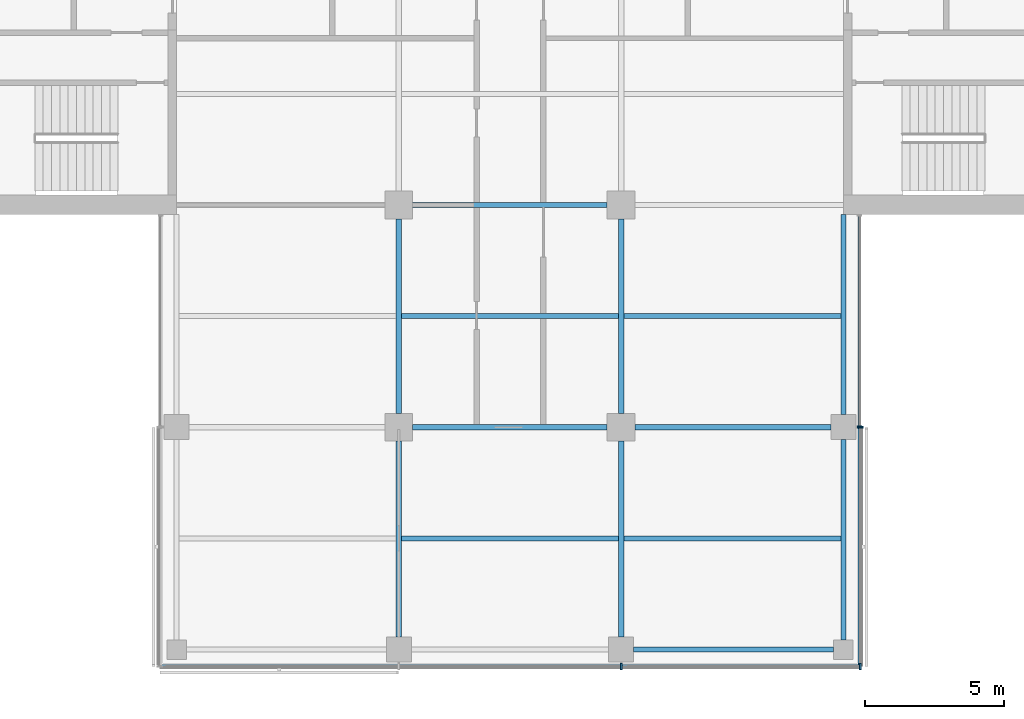
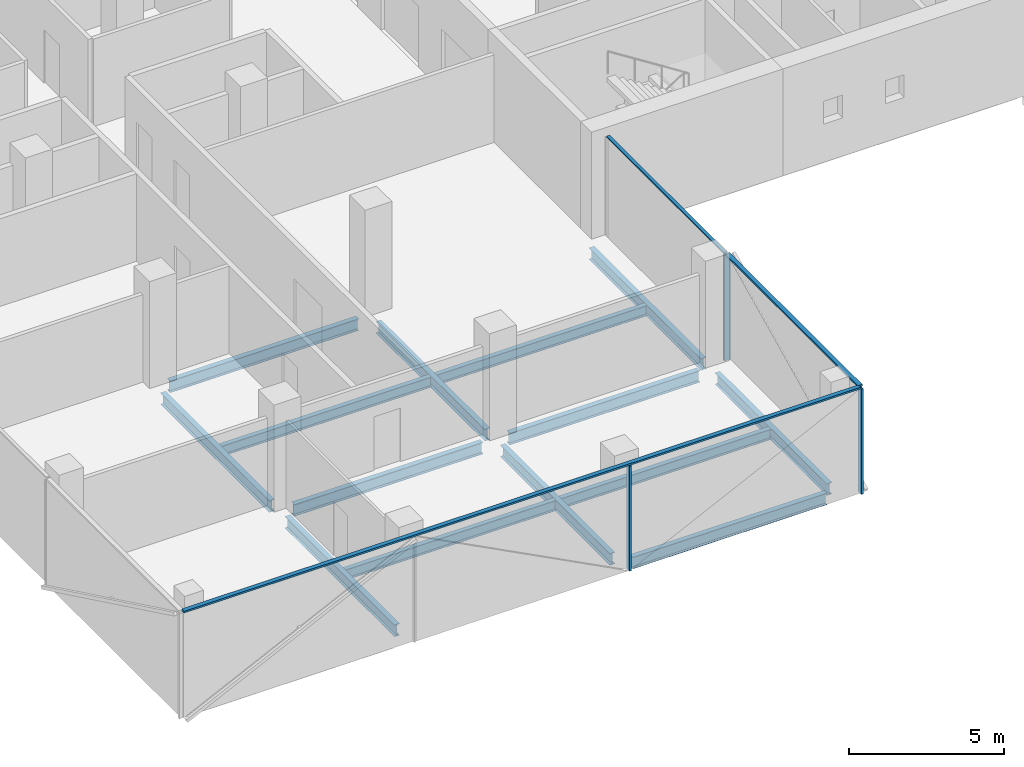
# One storey, part 5 of 22: 14 beams, 7 members, 3 elements without a shape of their own.
"""IFC4 building model written with IfcOpenShell, lengths in metres."""

import ifcopenshell
import ifcopenshell.guid

model = None  # the IFC model being written
_history = None  # IfcOwnerHistory: only IFC2X3 demands one
_inside = {}  # id of a spatial element -> (the spatial element, [elements in it])
_under = {}  # id of a project, library or spatial element -> (it, [spatial elements below it])
_declared = {}  # id of a project -> (the project, [libraries it declares])
_typed = {}  # id of a type object -> (the type object, [elements of that type])
_made_of = {}  # id of a material, layer set ... -> (it, [elements and type objects made of it])


def new_model(schema):
    """Start an empty IFC model of exactly this schema.

    Asked for "IFC4X3", IfcOpenShell would pick the latest addendum, in which some entities
    have other attributes; the version numbers below select the first issue.
    IFC2X3 requires an IfcOwnerHistory on every rooted entity: one is made here for all.
    """
    global model, _history
    if schema == "IFC4X3":
        model = ifcopenshell.file(schema_version=(4, 3, 0, 0))
    else:
        model = ifcopenshell.file(schema=schema)
    _inside.clear()
    _under.clear()
    _declared.clear()
    _typed.clear()
    _made_of.clear()
    _history = None
    if model.schema == "IFC2X3":
        org = make("IfcOrganization", Name="unknown")
        user = make(
            "IfcPersonAndOrganization",
            ThePerson=make("IfcPerson", FamilyName="unknown"),
            TheOrganization=org,
        )
        app = make(
            "IfcApplication",
            ApplicationDeveloper=org,
            Version="unknown",
            ApplicationFullName="unknown",
            ApplicationIdentifier="unknown",
        )
        _history = make(
            "IfcOwnerHistory",
            OwningUser=user,
            OwningApplication=app,
            ChangeAction="ADDED",
            CreationDate=0,
        )
    return model


def make(cls, **values):
    """One entity of the class cls with the attributes given. An attribute that is None is left unset."""
    return model.create_entity(
        cls, **{name: value for name, value in values.items() if value is not None}
    )


def rooted(cls, **values):
    """An entity with a GlobalId (a new one), such as an element, a storey or a relation."""
    return make(cls, GlobalId=ifcopenshell.guid.new(), OwnerHistory=_history, **values)


def si_unit(unit_type, name, prefix=None):
    """IfcSIUnit, for example si_unit("LENGTHUNIT", "METRE", prefix="MILLI")."""
    return make("IfcSIUnit", UnitType=unit_type, Prefix=prefix, Name=name)


def assignment(units):
    """IfcUnitAssignment: the units of a project."""
    return None if units is None else make("IfcUnitAssignment", Units=units)


def point(xyz):
    """IfcCartesianPoint."""
    return None if xyz is None else make("IfcCartesianPoint", Coordinates=xyz)


def direction(xyz):
    """IfcDirection."""
    return None if xyz is None else make("IfcDirection", DirectionRatios=xyz)


def frame(location, z_axis=None, x_axis=None):
    """IfcAxis2Placement3D, a coordinate frame: its origin and axes. An axis left out is left unset."""
    return make(
        "IfcAxis2Placement3D",
        Location=point(location),
        Axis=direction(z_axis),
        RefDirection=direction(x_axis),
    )


def frame_2d(location, x_axis=None):
    """IfcAxis2Placement2D, a coordinate frame in the plane: its origin and x axis."""
    return make(
        "IfcAxis2Placement2D", Location=point(location), RefDirection=direction(x_axis)
    )


def origin():
    """The frame at (0, 0, 0) with its axes left unset."""
    return frame((0.0, 0.0, 0.0))


def origin_2d():
    """The frame at (0, 0) in the plane with its x axis left unset."""
    return frame_2d((0.0, 0.0))


def place(relative_to, where):
    """IfcLocalPlacement: puts the frame where relative to a parent placement (None: the world)."""
    return make(
        "IfcLocalPlacement", PlacementRelTo=relative_to, RelativePlacement=where
    )


def context(
    kind, dimensions, precision=None, world=None, true_north=None, identifier=None
):
    """IfcGeometricRepresentationContext, for example the 3D "Model" context."""
    return make(
        "IfcGeometricRepresentationContext",
        ContextIdentifier=identifier,
        ContextType=kind,
        CoordinateSpaceDimension=dimensions,
        Precision=precision,
        WorldCoordinateSystem=world,
        TrueNorth=true_north,
    )


def subcontext(parent, identifier, kind, view, scale=None):
    """IfcGeometricRepresentationSubContext, for example "Body" below "Model"."""
    return make(
        "IfcGeometricRepresentationSubContext",
        ContextIdentifier=identifier,
        ContextType=kind,
        ParentContext=parent,
        TargetScale=scale,
        TargetView=view,
    )


def project(units=None, contexts=None):
    """IfcProject with its units and contexts."""
    return rooted(
        "IfcProject",
        Name="project",
        RepresentationContexts=contexts,
        UnitsInContext=assignment(units),
    )


def spatial(cls, under=None, at=None, **own):
    """A site, building, storey or space (cls), placed at a placement, below another one or the project."""
    s = rooted(cls, ObjectPlacement=at, **own)
    if under is not None:
        _under.setdefault(under.id(), (under, []))[1].append(s)
    return s


def profile(cls, at=None, kind="AREA", **sizes):
    """A parametric profile (cls). Its sizes go by their IFC names, for example OverallWidth=200.0."""
    return make(cls, ProfileType=kind, Position=at, **sizes)


def rectangle(**sizes):
    """IfcRectangleProfileDef."""
    return profile("IfcRectangleProfileDef", **sizes)


def i_section(**sizes):
    """IfcIShapeProfileDef."""
    return profile("IfcIShapeProfileDef", **sizes)


def extrude(swept, where, along, depth):
    """IfcExtrudedAreaSolid: the profile swept, set in the frame where, extruded along a direction by depth."""
    return make(
        "IfcExtrudedAreaSolid",
        SweptArea=swept,
        Position=where,
        ExtrudedDirection=direction(along),
        Depth=depth,
    )


def shape(context_of_items, identifier, shape_type, items):
    """IfcShapeRepresentation: the items that make up one representation, for example the "Body"."""
    return make(
        "IfcShapeRepresentation",
        ContextOfItems=context_of_items,
        RepresentationIdentifier=identifier,
        RepresentationType=shape_type,
        Items=items,
    )


def material(Name=None, Category=None):
    """IfcMaterial."""
    return make("IfcMaterial", Name=Name, Category=Category)


def material_profile(
    of_material, cross_section, Name=None, Category=None, Priority=None
):
    """IfcMaterialProfile: a cross section and its material."""
    return make(
        "IfcMaterialProfile",
        Name=Name,
        Material=of_material,
        Profile=cross_section,
        Priority=Priority,
        Category=Category,
    )


def profile_set(profiles, Name=None, composite=None):
    """IfcMaterialProfileSet."""
    return make(
        "IfcMaterialProfileSet",
        Name=Name,
        MaterialProfiles=profiles,
        CompositeProfile=composite,
    )


def made_of(thing, what):
    """Note that an element or type object is made of a material, layer set ...; save() writes the relation."""
    if what is not None:
        _made_of.setdefault(what.id(), (what, []))[1].append(thing)
    return thing


def type_object(cls, material=None, **own):
    """A type object (cls), such as IfcWallType, which elements share."""
    return made_of(rooted(cls, **own), material)


def element(
    cls,
    number,
    at=None,
    inside=None,
    cuts=None,
    type_object=None,
    material=None,
    context=None,
    identifier="Body",
    shape_type=None,
    held_by="IfcProductDefinitionShape",
    body=None,
    shapes=None,
    **own,
):
    """One element of the class cls, such as IfcWall. Its Tag is "e" and its number.

    at: its placement. inside: the storey or other place that contains it. cuts: it is an
    opening in that element (IfcRelVoidsElement). A single representation is given by context,
    identifier, shape_type and body (its items); several are given by shapes. held_by: the class
    of the entity that holds the representations. save() writes the other relations.
    """
    e = rooted(cls, Tag="e%d" % number, ObjectPlacement=at, **own)
    if body is not None:
        shapes = [shape(context, identifier, shape_type, body)]
    if shapes is not None:
        e.Representation = make(held_by, Representations=shapes)
    if inside is not None:
        _inside.setdefault(inside.id(), (inside, []))[1].append(e)
    if cuts is not None:
        rooted(
            "IfcRelVoidsElement", RelatingBuildingElement=cuts, RelatedOpeningElement=e
        )
    if type_object is not None:
        _typed.setdefault(type_object.id(), (type_object, []))[1].append(e)
    return made_of(e, material)


def aggregate(whole, parts):
    """IfcRelAggregates: a whole, such as a stair, and the parts it consists of."""
    return rooted("IfcRelAggregates", RelatingObject=whole, RelatedObjects=parts)


def save(model, path):
    """Write the relations noted so far, then the file.

    IfcRelAggregates (storeys below a building ...), IfcRelContainedInSpatialStructure (elements
    in a storey), IfcRelDefinesByType, IfcRelAssociatesMaterial and IfcRelDeclares: one each for
    every whole, place, type object, material and project.
    """
    for whole, parts in _under.values():
        aggregate(whole, parts)
    for where, things in _inside.values():
        rooted(
            "IfcRelContainedInSpatialStructure",
            RelatedElements=things,
            RelatingStructure=where,
        )
    for kind, things in _typed.values():
        rooted("IfcRelDefinesByType", RelatedObjects=things, RelatingType=kind)
    for what, things in _made_of.values():
        rooted("IfcRelAssociatesMaterial", RelatedObjects=things, RelatingMaterial=what)
    for by, libraries in _declared.values():
        rooted("IfcRelDeclares", RelatingContext=by, RelatedDefinitions=libraries)
    model.write(path)


model = new_model("IFC4")

# Units and contexts
model_context = context("Model", 3, precision=1e-05, world=origin(), true_north=direction((0.0, 1.0)))
body_context = subcontext(model_context, "Body", "Model", "MODEL_VIEW")
ifc_project = project(units=[si_unit("LENGTHUNIT", "METRE"), si_unit("AREAUNIT", "SQUARE_METRE"), si_unit("VOLUMEUNIT", "CUBIC_METRE"), si_unit("PLANEANGLEUNIT", "RADIAN"), si_unit("MASSUNIT", "GRAM", prefix="KILO")], contexts=[model_context])

# Site, building, storey
site_placement = place(None, origin())
site = spatial("IfcSite", under=ifc_project, at=site_placement, CompositionType="ELEMENT")
building_placement = place(site_placement, origin())
building = spatial("IfcBuilding", under=site, at=building_placement, Name="Crosswind Convention Tower", CompositionType="ELEMENT")
storey_placement = place(building_placement, frame((0.0, 0.0, 158.89990234375)))
storey = spatial("IfcBuildingStorey", under=building, at=storey_placement, Name="L33", CompositionType="ELEMENT", Elevation=158.89990234375)

# Beams
ifc_material_1 = material(Name="Steel S355", Category="steel")
ifc_material_profile_1 = material_profile(ifc_material_1, i_section(OverallWidth=0.18994140625, OverallDepth=0.45361328125, WebThickness=0.008544921875, FlangeThickness=0.0126953125, FilletRadius=0.01025390625, at=origin_2d()), Name="UB 457x191x67")
ifc_profile_set_1 = profile_set([ifc_material_profile_1], Name="Steel S355")
beam_type_1 = type_object("IfcBeamType", Name="Edge beam UB 457x191x67", PredefinedType="SPANDREL", material=ifc_profile_set_1)
for number, where, z_axis, x_axis, name in (
    (1, (129.449951171875, 72.0, -0.526611328125), (1.0, 0.0, 0.0), (0.0, 1.0, 0.0), "B16 L33 edge beam 14"),
    (2, (137.0, 72.35009765625, -0.526611328125), (0.0, 1.0, 0.0), (-1.0, 0.0, 0.0), "B16 L33 edge beam 16"),
    (3, (137.0, 80.449951171875, -0.526611328125), (0.0, 1.0, 0.0), (-1.0, 0.0, 0.0), "B16 L33 edge beam 17"),
):
    element("IfcBeam", number, at=place(storey_placement, frame(where, z_axis=z_axis, x_axis=x_axis)), inside=storey, type_object=beam_type_1, Name=name, PredefinedType="SPANDREL", context=body_context, shape_type="SweptSolid", body=[
        extrude(i_section(OverallWidth=0.18994140625, OverallDepth=0.45361328125, WebThickness=0.008544921875, FlangeThickness=0.0126953125, FilletRadius=0.01025390625, at=origin_2d()), origin(), (0.0, 0.0, 1.0), 7.199951171875),
    ])
ifc_material_profile_2 = material_profile(ifc_material_1, i_section(OverallWidth=0.19140625, OverallDepth=0.460205078125, WebThickness=0.010009765625, FlangeThickness=0.01611328125, FilletRadius=0.01025390625, at=origin_2d()), Name="UB 457x191x82")
ifc_profile_set_2 = profile_set([ifc_material_profile_2], Name="Steel S355")
beam_type_2 = type_object("IfcBeamType", Name="Girder UB 457x191x82", PredefinedType="BEAM", material=ifc_profile_set_2)
beam_1_placement = place(storey_placement, frame((121.0, 72.449951171875, -0.530029296875), z_axis=(0.0, 1.0, 0.0), x_axis=(-1.0, 0.0, 0.0)))
element("IfcBeam", 4, at=beam_1_placement, inside=storey, type_object=beam_type_2, Name="B3 L33 girder 3", PredefinedType="BEAM", context=body_context, shape_type="SweptSolid", body=[
    extrude(i_section(OverallWidth=0.19140625, OverallDepth=0.460205078125, WebThickness=0.010009765625, FlangeThickness=0.01611328125, FilletRadius=0.01025390625, at=origin_2d()), origin(), (0.0, 0.0, 1.0), 7.050048828125),
])
for number, where, z_axis, x_axis, name in (
    (5, (121.0, 80.5, -0.530029296875), (0.0, 1.0, 0.0), (-1.0, 0.0, 0.0), "B3 L33 girder 4"),
    (6, (121.5, 80.0, -0.530029296875), (1.0, 0.0, 0.0), (0.0, 1.0, 0.0), "B3 L33 girder 10"),
    (7, (121.5, 88.0, -0.530029296875), (1.0, 0.0, 0.0), (0.0, 1.0, 0.0), "B3 L33 girder 11"),
):
    element("IfcBeam", number, at=place(storey_placement, frame(where, z_axis=z_axis, x_axis=x_axis)), inside=storey, type_object=beam_type_2, Name=name, PredefinedType="BEAM", context=body_context, shape_type="SweptSolid", body=[
        extrude(i_section(OverallWidth=0.19140625, OverallDepth=0.460205078125, WebThickness=0.010009765625, FlangeThickness=0.01611328125, FilletRadius=0.01025390625, at=origin_2d()), origin(), (0.0, 0.0, 1.0), 7.0),
    ])
beam_2_placement = place(storey_placement, frame((129.0, 72.449951171875, -0.530029296875), z_axis=(0.0, 1.0, 0.0), x_axis=(-1.0, 0.0, 0.0)))
element("IfcBeam", 8, at=beam_2_placement, inside=storey, type_object=beam_type_2, Name="B3 L33 girder 16", PredefinedType="BEAM", context=body_context, shape_type="SweptSolid", body=[
    extrude(i_section(OverallWidth=0.19140625, OverallDepth=0.460205078125, WebThickness=0.010009765625, FlangeThickness=0.01611328125, FilletRadius=0.01025390625, at=origin_2d()), origin(), (0.0, 0.0, 1.0), 7.050048828125),
])
beam_3_placement = place(storey_placement, frame((129.0, 80.5, -0.530029296875), z_axis=(0.0, 1.0, 0.0), x_axis=(-1.0, 0.0, 0.0)))
element("IfcBeam", 9, at=beam_3_placement, inside=storey, type_object=beam_type_2, Name="B3 L33 girder 17", PredefinedType="BEAM", context=body_context, shape_type="SweptSolid", body=[
    extrude(i_section(OverallWidth=0.19140625, OverallDepth=0.460205078125, WebThickness=0.010009765625, FlangeThickness=0.01611328125, FilletRadius=0.01025390625, at=origin_2d()), origin(), (0.0, 0.0, 1.0), 7.0),
])
beam_4_placement = place(storey_placement, frame((129.5, 80.0, -0.530029296875), z_axis=(1.0, 0.0, 0.0), x_axis=(0.0, 1.0, 0.0)))
element("IfcBeam", 10, at=beam_4_placement, inside=storey, type_object=beam_type_2, Name="B3 L33 girder 23", PredefinedType="BEAM", context=body_context, shape_type="SweptSolid", body=[
    extrude(i_section(OverallWidth=0.19140625, OverallDepth=0.460205078125, WebThickness=0.010009765625, FlangeThickness=0.01611328125, FilletRadius=0.01025390625, at=origin_2d()), origin(), (0.0, 0.0, 1.0), 7.050048828125),
])

# Curtain wall, member
ifc_material_2 = material(Name="Aluminium unitised curtain wall", Category="aluminium")
curtain_wall_type_1 = type_object("IfcCurtainWallType", Name="CORE END SLOT WALL 160", PredefinedType="USERDEFINED", material=ifc_material_2)
curtain_wall_1_placement = place(storey_placement, origin())
curtain_wall_1 = element("IfcCurtainWall", 11, at=curtain_wall_1_placement, inside=storey, type_object=curtain_wall_type_1, Name="CW6 L33 S-E.1-2 slot", ObjectType="UNITISED", PredefinedType="USERDEFINED")
ifc_material_3 = material(Name="Aluminium mullion", Category="aluminium")
ifc_material_profile_3 = material_profile(ifc_material_3, rectangle(XDim=0.159912109375, YDim=0.050048828125, at=origin_2d()), Name="AL 160X50")
ifc_profile_set_3 = profile_set([ifc_material_profile_3], Name="Aluminium mullion")
member_type_1 = type_object("IfcMemberType", Name="MULLION 50X160", PredefinedType="MULLION", material=ifc_profile_set_3)
member_1_placement = place(storey_placement, frame((137.580078125, 80.02490234375, -0.2998046875), z_axis=(0.0, 0.0, 1.0), x_axis=(1.0, 0.0, 0.0)))
member_1 = element("IfcMember", 12, at=member_1_placement, type_object=member_type_1, Name="CW6 mullion 1", PredefinedType="MULLION", context=body_context, shape_type="SweptSolid", body=[
    extrude(rectangle(XDim=0.159912109375, YDim=0.050048828125, at=origin_2d()), origin(), (0.0, 0.0, 1.0), 4.14990234375),
])

# Curtain wall, members
curtain_wall_type_2 = type_object("IfcCurtainWallType", Name="OFFICE UNITISED WALL 220", PredefinedType="USERDEFINED", material=ifc_material_2)
curtain_wall_2_placement = place(storey_placement, origin())
curtain_wall_2 = element("IfcCurtainWall", 13, at=curtain_wall_2_placement, inside=storey, type_object=curtain_wall_type_2, Name="CW3 L33 S-TIP 1", ObjectType="UNITISED", PredefinedType="USERDEFINED")
ifc_material_profile_4 = material_profile(ifc_material_3, rectangle(XDim=0.219970703125, YDim=0.070068359375, at=origin_2d()), Name="AL 220X70")
ifc_profile_set_4 = profile_set([ifc_material_profile_4], Name="Aluminium mullion")
member_type_2 = type_object("IfcMemberType", Name="MULLION 70X220", PredefinedType="MULLION", material=ifc_profile_set_4)
member_2_placement = place(storey_placement, frame((129.0, 71.389892578125, -0.2998046875), z_axis=(0.0, 0.0, 1.0), x_axis=(0.0, -1.0, 0.0)))
member_2 = element("IfcMember", 14, at=member_2_placement, type_object=member_type_2, Name="CW3 mullion 3", PredefinedType="MULLION", context=body_context, shape_type="SweptSolid", body=[
    extrude(rectangle(XDim=0.219970703125, YDim=0.070068359375, at=origin_2d()), origin(), (0.0, 0.0, 1.0), 4.1298828125),
])
member_3_placement = place(storey_placement, frame((137.610107421875, 71.389892578125, -0.2998046875), z_axis=(0.0, 0.0, 1.0), x_axis=(0.0, -1.0, 0.0)))
member_3 = element("IfcMember", 15, at=member_3_placement, type_object=member_type_2, Name="CW3 mullion 4", PredefinedType="MULLION", context=body_context, shape_type="SweptSolid", body=[
    extrude(rectangle(XDim=0.219970703125, YDim=0.070068359375, at=origin_2d()), origin(), (0.0, 0.0, 1.0), 4.1298828125),
])

# Curtain wall, member
curtain_wall_3_placement = place(storey_placement, origin())
curtain_wall_3 = element("IfcCurtainWall", 16, at=curtain_wall_3_placement, inside=storey, type_object=curtain_wall_type_2, Name="CW3 L33 S-E 1", ObjectType="UNITISED", PredefinedType="USERDEFINED")
member_4_placement = place(storey_placement, frame((137.610107421875, 80.0, -0.2998046875), z_axis=(0.0, 0.0, 1.0), x_axis=(1.0, 0.0, 0.0)))
member_4 = element("IfcMember", 17, at=member_4_placement, type_object=member_type_2, Name="CW3 mullion 2", PredefinedType="MULLION", context=body_context, shape_type="SweptSolid", body=[
    extrude(rectangle(XDim=0.219970703125, YDim=0.070068359375, at=origin_2d()), origin(), (0.0, 0.0, 1.0), 4.1298828125),
])

# Beams
ifc_material_profile_5 = material_profile(ifc_material_1, i_section(OverallWidth=0.177734375, OverallDepth=0.406494140625, WebThickness=0.0078125, FlangeThickness=0.0126953125, FilletRadius=0.01025390625, at=origin_2d()), Name="UB 406x178x60")
ifc_profile_set_5 = profile_set([ifc_material_profile_5], Name="Steel S355")
beam_type_3 = type_object("IfcBeamType", Name="Secondary beam UB 406x178x60", PredefinedType="JOIST", material=ifc_profile_set_5)
for number, where, z_axis, x_axis, name in (
    (18, (121.095703125, 76.0, -0.503173828125), (1.0, 0.0, 0.0), (0.0, 1.0, 0.0), "B10 L33 secondary beam 11"),
    (19, (121.095703125, 84.0, -0.503173828125), (1.0, 0.0, 0.0), (0.0, 1.0, 0.0), "B10 L33 secondary beam 12"),
):
    element("IfcBeam", number, at=place(storey_placement, frame(where, z_axis=z_axis, x_axis=x_axis)), inside=storey, type_object=beam_type_3, Name=name, PredefinedType="JOIST", context=body_context, shape_type="SweptSolid", body=[
        extrude(i_section(OverallWidth=0.177734375, OverallDepth=0.406494140625, WebThickness=0.0078125, FlangeThickness=0.0126953125, FilletRadius=0.01025390625, at=origin_2d()), origin(), (0.0, 0.0, 1.0), 7.80859375),
    ])
for number, where, z_axis, x_axis, name in (
    (20, (129.095703125, 76.0, -0.503173828125), (1.0, 0.0, 0.0), (0.0, 1.0, 0.0), "B10 L33 secondary beam 18"),
    (21, (129.095703125, 84.0, -0.503173828125), (1.0, 0.0, 0.0), (0.0, 1.0, 0.0), "B10 L33 secondary beam 19"),
):
    element("IfcBeam", number, at=place(storey_placement, frame(where, z_axis=z_axis, x_axis=x_axis)), inside=storey, type_object=beam_type_3, Name=name, PredefinedType="JOIST", context=body_context, shape_type="SweptSolid", body=[
        extrude(i_section(OverallWidth=0.177734375, OverallDepth=0.406494140625, WebThickness=0.0078125, FlangeThickness=0.0126953125, FilletRadius=0.01025390625, at=origin_2d()), origin(), (0.0, 0.0, 1.0), 7.809326171875),
    ])

# Member
ifc_material_4 = material(Name="Aluminium transom", Category="aluminium")
ifc_material_profile_6 = material_profile(ifc_material_4, rectangle(XDim=0.1201171875, YDim=0.050048828125, at=origin_2d()), Name="AL 120X50")
ifc_profile_set_6 = profile_set([ifc_material_profile_6], Name="Aluminium transom")
member_type_3 = type_object("IfcMemberType", Name="TRANSOM 50X120", PredefinedType="USERDEFINED", material=ifc_profile_set_6)
member_5_placement = place(storey_placement, frame((137.580078125, 80.050048828125, 3.875), z_axis=(0.0, 1.0, 0.0), x_axis=(-1.0, 0.0, 0.0)))
member_5 = element("IfcMember", 22, at=member_5_placement, type_object=member_type_3, Name="CW6 transom", ObjectType="TRANSOM", PredefinedType="USERDEFINED", context=body_context, shape_type="SweptSolid", body=[
    extrude(rectangle(XDim=0.1201171875, YDim=0.050048828125, at=origin_2d()), origin(), (0.0, 0.0, 1.0), 7.550048828125),
])

aggregate(curtain_wall_1, [member_1, member_5])

ifc_material_profile_7 = material_profile(ifc_material_4, rectangle(XDim=0.159912109375, YDim=0.070068359375, at=origin_2d()), Name="AL 160X70")
ifc_profile_set_7 = profile_set([ifc_material_profile_7], Name="Aluminium transom")
member_type_4 = type_object("IfcMemberType", Name="TRANSOM 70X160", PredefinedType="USERDEFINED", material=ifc_profile_set_7)
member_6_placement = place(storey_placement, frame((112.425048828125, 71.389892578125, 3.864990234375), z_axis=(1.0, 0.0, 0.0), x_axis=(0.0, 1.0, 0.0)))
member_6 = element("IfcMember", 23, at=member_6_placement, type_object=member_type_4, Name="CW3 transom", ObjectType="TRANSOM", PredefinedType="USERDEFINED", context=body_context, shape_type="SweptSolid", body=[
    extrude(rectangle(XDim=0.159912109375, YDim=0.070068359375, at=origin_2d()), origin(), (0.0, 0.0, 1.0), 25.14990234375),
])

aggregate(curtain_wall_2, [member_2, member_3, member_6])

member_7_placement = place(storey_placement, frame((137.610107421875, 71.425048828125, 3.864990234375), z_axis=(0.0, 1.0, 0.0), x_axis=(-1.0, 0.0, 0.0)))
member_7 = element("IfcMember", 24, at=member_7_placement, type_object=member_type_4, Name="CW3 transom", ObjectType="TRANSOM", PredefinedType="USERDEFINED", context=body_context, shape_type="SweptSolid", body=[
    extrude(rectangle(XDim=0.159912109375, YDim=0.070068359375, at=origin_2d()), origin(), (0.0, 0.0, 1.0), 8.5400390625),
])

aggregate(curtain_wall_3, [member_4, member_7])

save(model, "model.ifc")
